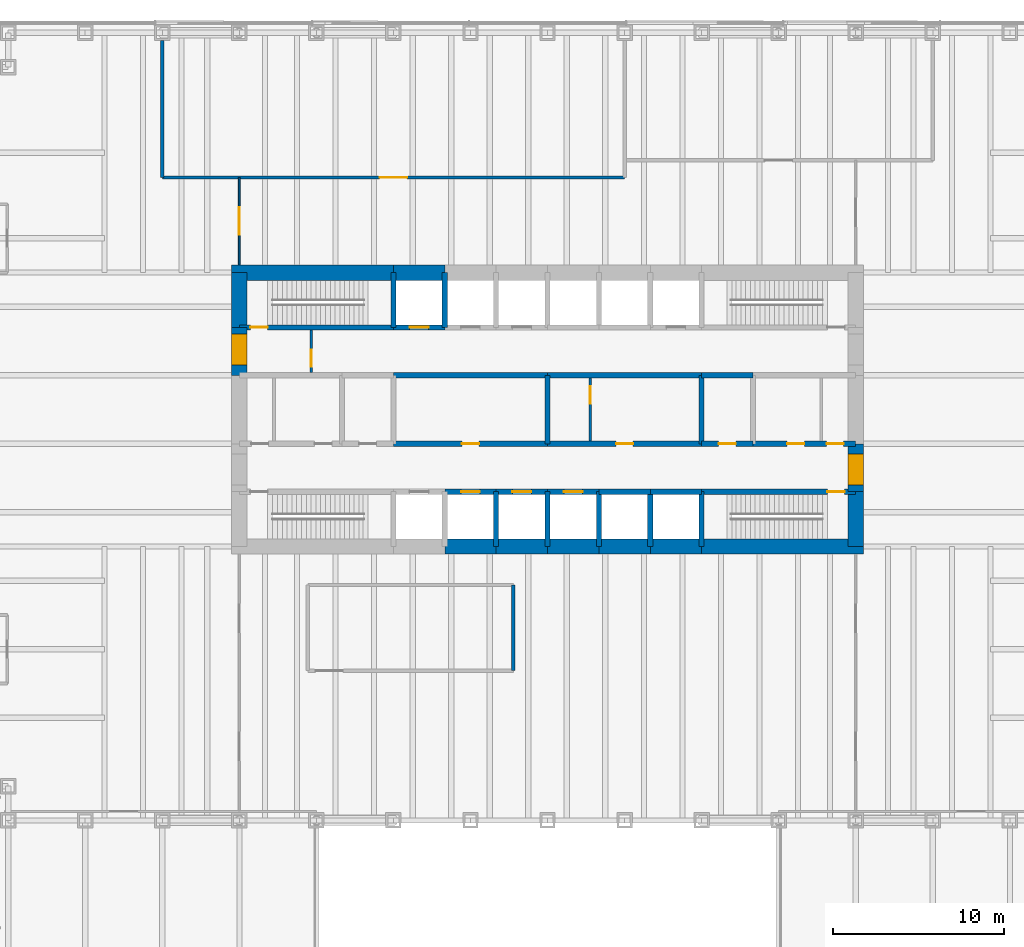
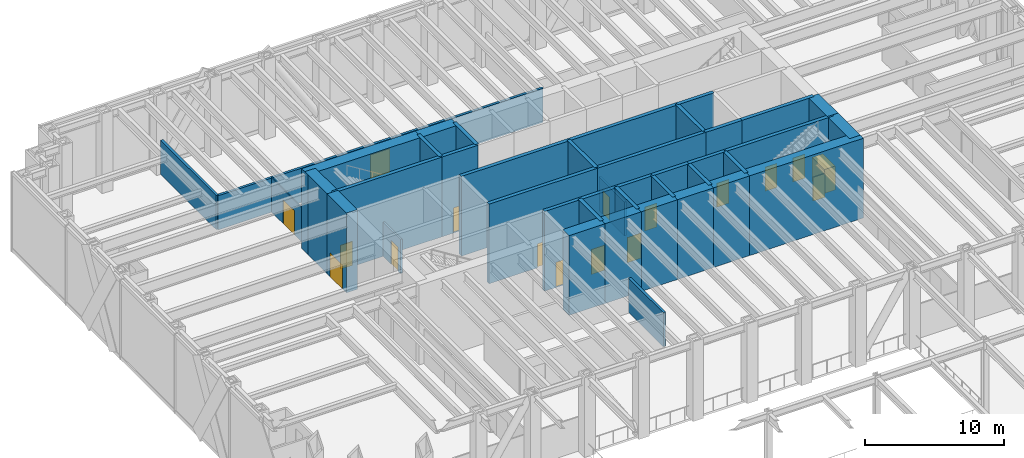
# One storey, part 14 of 17: 42 walls, 17 doors, 17 openings.
"""IFC4 building model written with IfcOpenShell, lengths in metres."""

from ifc_helpers import new_model, si_unit, direction, frame, frame_2d, origin, place, context, subcontext, project, spatial, rectangle, extrude, material, layer, layer_set, type_object, element, fill, save


model = new_model("IFC4")

# Units and contexts
model_context = context("Model", 3, precision=1e-05, world=origin(), true_north=direction((0.0, 1.0)))
body_context = subcontext(model_context, "Body", "Model", "MODEL_VIEW")
ifc_project = project(units=[si_unit("LENGTHUNIT", "METRE"), si_unit("AREAUNIT", "SQUARE_METRE"), si_unit("VOLUMEUNIT", "CUBIC_METRE"), si_unit("PLANEANGLEUNIT", "RADIAN"), si_unit("MASSUNIT", "GRAM", prefix="KILO")], contexts=[model_context])

# Site, building, storey
site_placement = place(None, origin())
site = spatial("IfcSite", under=ifc_project, at=site_placement, CompositionType="ELEMENT")
building_placement = place(site_placement, origin())
building = spatial("IfcBuilding", under=site, at=building_placement, Name="Rheinbord Bourse Tower", CompositionType="ELEMENT")
storey_placement = place(building_placement, frame((0.0, 0.0, 6.0)))
storey = spatial("IfcBuildingStorey", under=building, at=storey_placement, Name="L01", CompositionType="ELEMENT", Elevation=6.0)

# Wall, opening, door
ifc_material_1 = material(Name="Acoustic gypsum board partition", Category="gypsum board")
ifc_layer_1 = layer(ifc_material_1, 0.199951171875)
ifc_layer_set_1 = layer_set([ifc_layer_1], Name="ACOUSTIC PARTITION 200")
wall_type_1 = type_object("IfcWallType", Name="ACOUSTIC PARTITION 200", PredefinedType="PARTITIONING", material=ifc_layer_set_1)
wall_1_placement = place(storey_placement, frame((13.5, 37.550048828125, 0.0), z_axis=(0.0, 0.0, 1.0), x_axis=(1.0, 0.0, 0.0)))
wall_1 = element("IfcWall", 1, at=wall_1_placement, inside=storey, type_object=wall_type_1, Name="Partition L01-11", PredefinedType="PARTITIONING", context=body_context, shape_type="SweptSolid", body=[
    extrude(rectangle(XDim=27.0, YDim=0.199951171875, at=frame_2d((13.5, 0.0))), origin(), (0.0, 0.0, 1.0), 3.0),
])
opening_1_placement = place(wall_1_placement, frame((12.699951171875, 0.0, 0.0)))
opening_1 = element("IfcOpeningElement", 2, at=opening_1_placement, cuts=wall_1, Name="Opening 01D07", PredefinedType="OPENING", context=body_context, shape_type="SweptSolid", body=[
    extrude(rectangle(XDim=1.60009765625, YDim=2.10009765625, at=frame_2d((0.800048828125, 1.050048828125))), frame((0.0, 0.10986328125, 0.0), z_axis=(0.0, -1.0, 0.0), x_axis=(1.0, 0.0, 0.0)), (0.0, 0.0, 1.0), 0.219970703125),
])
ifc_material_2 = material(Name="Timber door", Category="wood")
door_type_1 = type_object("IfcDoorType", Name="DOUBLE ROOM DOOR 1600", OperationType="DOUBLE_DOOR_DOUBLE_SWING", PredefinedType="DOOR", material=ifc_material_2)
door_1_placement = place(opening_1_placement, origin())
door_1 = element("IfcDoor", 3, at=door_1_placement, inside=storey, type_object=door_type_1, Name="Conference room door L01", OperationType="SINGLE_SWING_LEFT", OverallHeight=2.10009765625, OverallWidth=1.60009765625, PredefinedType="DOOR", context=body_context, shape_type="SweptSolid", body=[
    extrude(rectangle(XDim=1.60009765625, YDim=2.10009765625, at=frame_2d((0.800048828125, 1.050048828125))), frame((0.0, 0.02490234375, 0.0), z_axis=(0.0, -1.0, 0.0), x_axis=(1.0, 0.0, 0.0)), (0.0, 0.0, 1.0), 0.050048828125),
])
fill(opening_1, door_1)

# Walls
wall_2_placement = place(storey_placement, frame((13.5, 37.550048828125, 0.0), z_axis=(0.0, 0.0, 1.0), x_axis=(0.0, 1.0, 0.0)))
element("IfcWall", 4, at=wall_2_placement, inside=storey, type_object=wall_type_1, Name="Partition L01-15", PredefinedType="PARTITIONING", context=body_context, shape_type="SweptSolid", body=[
    extrude(rectangle(XDim=8.0, YDim=0.199951171875, at=frame_2d((4.0, 0.0))), origin(), (0.0, 0.0, 1.0), 3.0),
])
wall_3_placement = place(storey_placement, frame((34.0, 8.75, 0.0), z_axis=(0.0, 0.0, 1.0), x_axis=(0.0, 1.0, 0.0)))
element("IfcWall", 5, at=wall_3_placement, inside=storey, type_object=wall_type_1, Name="Partition L01-19", PredefinedType="PARTITIONING", context=body_context, shape_type="SweptSolid", body=[
    extrude(rectangle(XDim=5.0, YDim=0.199951171875, at=frame_2d((2.5, 0.0))), origin(), (0.0, 0.0, 1.0), 3.0),
])

# Wall, opening, door
ifc_material_3 = material(Name="Concrete C50/60", Category="concrete")
ifc_layer_2 = layer(ifc_material_3, 0.300048828125)
ifc_layer_set_2 = layer_set([ifc_layer_2], Name="CORE INNER WALL 300")
wall_type_2 = type_object("IfcWallType", Name="CORE INNER WALL 300", PredefinedType="SOLIDWALL", material=ifc_layer_set_2)
wall_4_placement = place(storey_placement, frame((30.0, 19.199951171875, 0.0), z_axis=(0.0, 0.0, 1.0), x_axis=(1.0, 0.0, 0.0)))
wall_4 = element("IfcWall", 6, at=wall_4_placement, inside=storey, type_object=wall_type_2, Name="Core wall A3 L01", PredefinedType="SOLIDWALL", context=body_context, shape_type="SweptSolid", body=[
    extrude(rectangle(XDim=3.0, YDim=0.300048828125, at=frame_2d((1.5, 0.0))), origin(), (0.0, 0.0, 1.0), 7.0),
])
opening_2_placement = place(wall_4_placement, frame((0.949951171875, 0.0, 0.0)))
opening_2 = element("IfcOpeningElement", 7, at=opening_2_placement, cuts=wall_4, Name="Opening PA1", PredefinedType="OPENING", context=body_context, shape_type="SweptSolid", body=[
    extrude(rectangle(XDim=1.10009765625, YDim=2.199951171875, at=frame_2d((0.550048828125, 1.10009765625))), frame((0.0, 0.159912109375, 0.0), z_axis=(0.0, -1.0, 0.0), x_axis=(1.0, 0.0, 0.0)), (0.0, 0.0, 1.0), 0.320068359375),
])
ifc_material_4 = material(Name="Steel landing door", Category="steel")
door_type_2 = type_object("IfcDoorType", Name="LIFT LANDING DOOR 1100", OperationType="DOUBLE_DOOR_SLIDING", PredefinedType="USERDEFINED", material=ifc_material_4)
door_2_placement = place(opening_2_placement, origin())
door_2 = element("IfcDoor", 8, at=door_2_placement, inside=storey, type_object=door_type_2, Name="Lift landing door PA1 L01", ObjectType="LIFT LANDING DOOR", OperationType="DOUBLE_DOOR_SLIDING", OverallHeight=2.199951171875, OverallWidth=1.10009765625, PredefinedType="USERDEFINED", context=body_context, shape_type="SweptSolid", body=[
    extrude(rectangle(XDim=1.10009765625, YDim=2.199951171875, at=frame_2d((0.550048828125, 1.10009765625))), frame((0.0, 0.02490234375, 0.0), z_axis=(0.0, -1.0, 0.0), x_axis=(1.0, 0.0, 0.0)), (0.0, 0.0, 1.0), 0.050048828125),
])
fill(opening_2, door_2)

wall_5_placement = place(storey_placement, frame((33.0, 19.199951171875, 0.0), z_axis=(0.0, 0.0, 1.0), x_axis=(1.0, 0.0, 0.0)))
wall_5 = element("IfcWall", 9, at=wall_5_placement, inside=storey, type_object=wall_type_2, Name="Core wall A4 L01", PredefinedType="SOLIDWALL", context=body_context, shape_type="SweptSolid", body=[
    extrude(rectangle(XDim=3.0, YDim=0.300048828125, at=frame_2d((1.5, 0.0))), origin(), (0.0, 0.0, 1.0), 7.0),
])
opening_3_placement = place(wall_5_placement, frame((0.949951171875, 0.0, 0.0)))
opening_3 = element("IfcOpeningElement", 10, at=opening_3_placement, cuts=wall_5, Name="Opening PA2", PredefinedType="OPENING", context=body_context, shape_type="SweptSolid", body=[
    extrude(rectangle(XDim=1.10009765625, YDim=2.199951171875, at=frame_2d((0.550048828125, 1.10009765625))), frame((0.0, 0.159912109375, 0.0), z_axis=(0.0, -1.0, 0.0), x_axis=(1.0, 0.0, 0.0)), (0.0, 0.0, 1.0), 0.320068359375),
])
door_3_placement = place(opening_3_placement, origin())
door_3 = element("IfcDoor", 11, at=door_3_placement, inside=storey, type_object=door_type_2, Name="Lift landing door PA2 L01", ObjectType="LIFT LANDING DOOR", OperationType="DOUBLE_DOOR_SLIDING", OverallHeight=2.199951171875, OverallWidth=1.10009765625, PredefinedType="USERDEFINED", context=body_context, shape_type="SweptSolid", body=[
    extrude(rectangle(XDim=1.10009765625, YDim=2.199951171875, at=frame_2d((0.550048828125, 1.10009765625))), frame((0.0, 0.02490234375, 0.0), z_axis=(0.0, -1.0, 0.0), x_axis=(1.0, 0.0, 0.0)), (0.0, 0.0, 1.0), 0.050048828125),
])
fill(opening_3, door_3)

wall_6_placement = place(storey_placement, frame((36.0, 19.199951171875, 0.0), z_axis=(0.0, 0.0, 1.0), x_axis=(1.0, 0.0, 0.0)))
wall_6 = element("IfcWall", 12, at=wall_6_placement, inside=storey, type_object=wall_type_2, Name="Core wall A5 L01", PredefinedType="SOLIDWALL", context=body_context, shape_type="SweptSolid", body=[
    extrude(rectangle(XDim=3.0, YDim=0.300048828125, at=frame_2d((1.5, 0.0))), origin(), (0.0, 0.0, 1.0), 7.0),
])
opening_4_placement = place(wall_6_placement, frame((0.949951171875, 0.0, 0.0)))
opening_4 = element("IfcOpeningElement", 13, at=opening_4_placement, cuts=wall_6, Name="Opening PA3", PredefinedType="OPENING", context=body_context, shape_type="SweptSolid", body=[
    extrude(rectangle(XDim=1.10009765625, YDim=2.199951171875, at=frame_2d((0.550048828125, 1.10009765625))), frame((0.0, 0.159912109375, 0.0), z_axis=(0.0, -1.0, 0.0), x_axis=(1.0, 0.0, 0.0)), (0.0, 0.0, 1.0), 0.320068359375),
])
door_4_placement = place(opening_4_placement, origin())
door_4 = element("IfcDoor", 14, at=door_4_placement, inside=storey, type_object=door_type_2, Name="Lift landing door PA3 L01", ObjectType="LIFT LANDING DOOR", OperationType="DOUBLE_DOOR_SLIDING", OverallHeight=2.199951171875, OverallWidth=1.10009765625, PredefinedType="USERDEFINED", context=body_context, shape_type="SweptSolid", body=[
    extrude(rectangle(XDim=1.10009765625, YDim=2.199951171875, at=frame_2d((0.550048828125, 1.10009765625))), frame((0.0, 0.02490234375, 0.0), z_axis=(0.0, -1.0, 0.0), x_axis=(1.0, 0.0, 0.0)), (0.0, 0.0, 1.0), 0.050048828125),
])
fill(opening_4, door_4)

# Walls
for number, where, z_axis, x_axis, name in (
    (15, (39.0, 19.199951171875, 0.0), (0.0, 0.0, 1.0), (1.0, 0.0, 0.0), "Core wall A6 L01"),
    (16, (42.0, 19.199951171875, 0.0), (0.0, 0.0, 1.0), (1.0, 0.0, 0.0), "Core wall A7 L01"),
):
    element("IfcWall", number, at=place(storey_placement, frame(where, z_axis=z_axis, x_axis=x_axis)), inside=storey, type_object=wall_type_2, Name=name, PredefinedType="SOLIDWALL", context=body_context, shape_type="SweptSolid", body=[
        extrude(rectangle(XDim=3.0, YDim=0.300048828125, at=frame_2d((1.5, 0.0))), origin(), (0.0, 0.0, 1.0), 7.0),
    ])

# Wall, opening, door
wall_7_placement = place(storey_placement, frame((45.0, 19.199951171875, 0.0), z_axis=(0.0, 0.0, 1.0), x_axis=(1.0, 0.0, 0.0)))
wall_7 = element("IfcWall", 17, at=wall_7_placement, inside=storey, type_object=wall_type_2, Name="Core wall A8 L01", PredefinedType="SOLIDWALL", context=body_context, shape_type="SweptSolid", body=[
    extrude(rectangle(XDim=9.0, YDim=0.300048828125, at=frame_2d((4.5, 0.0))), origin(), (0.0, 0.0, 1.0), 7.0),
])
opening_5_placement = place(wall_7_placement, frame((7.35009765625, 0.0, 0.0)))
opening_5 = element("IfcOpeningElement", 18, at=opening_5_placement, cuts=wall_7, Name="Opening 0130", PredefinedType="OPENING", context=body_context, shape_type="SweptSolid", body=[
    extrude(rectangle(XDim=1.0, YDim=2.10009765625, at=frame_2d((0.5, 1.050048828125))), frame((0.0, 0.159912109375, 0.0), z_axis=(0.0, -1.0, 0.0), x_axis=(1.0, 0.0, 0.0)), (0.0, 0.0, 1.0), 0.320068359375),
])
ifc_material_5 = material(Name="Steel door", Category="steel")
door_type_3 = type_object("IfcDoorType", Name="DOOR 1000 EI30", OperationType="SINGLE_SWING_LEFT", PredefinedType="DOOR", material=ifc_material_5)
door_5_placement = place(opening_5_placement, origin())
door_5 = element("IfcDoor", 19, at=door_5_placement, inside=storey, type_object=door_type_3, Name="Stair door ST3 L01", OperationType="SINGLE_SWING_RIGHT", OverallHeight=2.10009765625, OverallWidth=1.0, PredefinedType="DOOR", context=body_context, shape_type="SweptSolid", body=[
    extrude(rectangle(XDim=1.0, YDim=2.10009765625, at=frame_2d((0.5, 1.050048828125))), frame((0.0, 0.02490234375, 0.0), z_axis=(0.0, -1.0, 0.0), x_axis=(1.0, 0.0, 0.0)), (0.0, 0.0, 1.0), 0.050048828125),
])
fill(opening_5, door_5)

wall_8_placement = place(storey_placement, frame((18.0, 28.800048828125, 0.0), z_axis=(0.0, 0.0, 1.0), x_axis=(1.0, 0.0, 0.0)))
wall_8 = element("IfcWall", 20, at=wall_8_placement, inside=storey, type_object=wall_type_2, Name="Core wall B1 L01", PredefinedType="SOLIDWALL", context=body_context, shape_type="SweptSolid", body=[
    extrude(rectangle(XDim=9.0, YDim=0.300048828125, at=frame_2d((4.5, 0.0))), origin(), (0.0, 0.0, 1.0), 7.0),
])
opening_6_placement = place(wall_8_placement, frame((0.64990234375, 0.0, 0.0)))
opening_6 = element("IfcOpeningElement", 21, at=opening_6_placement, cuts=wall_8, Name="Opening 0120", PredefinedType="OPENING", context=body_context, shape_type="SweptSolid", body=[
    extrude(rectangle(XDim=1.0, YDim=2.10009765625, at=frame_2d((0.5, 1.050048828125))), frame((0.0, 0.159912109375, 0.0), z_axis=(0.0, -1.0, 0.0), x_axis=(1.0, 0.0, 0.0)), (0.0, 0.0, 1.0), 0.320068359375),
])
door_6_placement = place(opening_6_placement, origin())
door_6 = element("IfcDoor", 22, at=door_6_placement, inside=storey, type_object=door_type_3, Name="Stair door ST2 L01", OperationType="SINGLE_SWING_LEFT", OverallHeight=2.10009765625, OverallWidth=1.0, PredefinedType="DOOR", context=body_context, shape_type="SweptSolid", body=[
    extrude(rectangle(XDim=1.0, YDim=2.10009765625, at=frame_2d((0.5, 1.050048828125))), frame((0.0, 0.02490234375, 0.0), z_axis=(0.0, -1.0, 0.0), x_axis=(1.0, 0.0, 0.0)), (0.0, 0.0, 1.0), 0.050048828125),
])
fill(opening_6, door_6)

wall_9_placement = place(storey_placement, frame((27.0, 28.800048828125, 0.0), z_axis=(0.0, 0.0, 1.0), x_axis=(1.0, 0.0, 0.0)))
wall_9 = element("IfcWall", 23, at=wall_9_placement, inside=storey, type_object=wall_type_2, Name="Core wall B2 L01", PredefinedType="SOLIDWALL", context=body_context, shape_type="SweptSolid", body=[
    extrude(rectangle(XDim=3.0, YDim=0.300048828125, at=frame_2d((1.5, 0.0))), origin(), (0.0, 0.0, 1.0), 7.0),
])
opening_7_placement = place(wall_9_placement, frame((0.949951171875, 0.0, 0.0)))
opening_7 = element("IfcOpeningElement", 24, at=opening_7_placement, cuts=wall_9, Name="Opening GL1", PredefinedType="OPENING", context=body_context, shape_type="SweptSolid", body=[
    extrude(rectangle(XDim=1.10009765625, YDim=2.199951171875, at=frame_2d((0.550048828125, 1.10009765625))), frame((0.0, 0.159912109375, 0.0), z_axis=(0.0, -1.0, 0.0), x_axis=(1.0, 0.0, 0.0)), (0.0, 0.0, 1.0), 0.320068359375),
])
door_7_placement = place(opening_7_placement, origin())
door_7 = element("IfcDoor", 25, at=door_7_placement, inside=storey, type_object=door_type_2, Name="Lift landing door GL1 L01", ObjectType="LIFT LANDING DOOR", OperationType="DOUBLE_DOOR_SLIDING", OverallHeight=2.199951171875, OverallWidth=1.10009765625, PredefinedType="USERDEFINED", context=body_context, shape_type="SweptSolid", body=[
    extrude(rectangle(XDim=1.10009765625, YDim=2.199951171875, at=frame_2d((0.550048828125, 1.10009765625))), frame((0.0, 0.02490234375, 0.0), z_axis=(0.0, -1.0, 0.0), x_axis=(1.0, 0.0, 0.0)), (0.0, 0.0, 1.0), 0.050048828125),
])
fill(opening_7, door_7)

wall_10_placement = place(storey_placement, frame((27.0, 22.0, 0.0), z_axis=(0.0, 0.0, 1.0), x_axis=(1.0, 0.0, 0.0)))
wall_10 = element("IfcWall", 26, at=wall_10_placement, inside=storey, type_object=wall_type_2, Name="Core wall C3 L01", PredefinedType="SOLIDWALL", context=body_context, shape_type="SweptSolid", body=[
    extrude(rectangle(XDim=9.0, YDim=0.300048828125, at=frame_2d((4.5, 0.0))), origin(), (0.0, 0.0, 1.0), 7.0),
])
opening_8_placement = place(wall_10_placement, frame((4.0, 0.0, 0.0)))
opening_8 = element("IfcOpeningElement", 27, at=opening_8_placement, cuts=wall_10, Name="Opening 01R3", PredefinedType="OPENING", context=body_context, shape_type="SweptSolid", body=[
    extrude(rectangle(XDim=1.0, YDim=2.10009765625, at=frame_2d((0.5, 1.050048828125))), frame((0.0, 0.159912109375, 0.0), z_axis=(0.0, -1.0, 0.0), x_axis=(1.0, 0.0, 0.0)), (0.0, 0.0, 1.0), 0.320068359375),
])
door_8_placement = place(opening_8_placement, origin())
door_8 = element("IfcDoor", 28, at=door_8_placement, inside=storey, type_object=door_type_3, Name="Riser door L01", OperationType="SINGLE_SWING_LEFT", OverallHeight=2.10009765625, OverallWidth=1.0, PredefinedType="DOOR", context=body_context, shape_type="SweptSolid", body=[
    extrude(rectangle(XDim=1.0, YDim=2.10009765625, at=frame_2d((0.5, 1.050048828125))), frame((0.0, 0.02490234375, 0.0), z_axis=(0.0, -1.0, 0.0), x_axis=(1.0, 0.0, 0.0)), (0.0, 0.0, 1.0), 0.050048828125),
])
fill(opening_8, door_8)

wall_11_placement = place(storey_placement, frame((36.0, 22.0, 0.0), z_axis=(0.0, 0.0, 1.0), x_axis=(1.0, 0.0, 0.0)))
wall_11 = element("IfcWall", 29, at=wall_11_placement, inside=storey, type_object=wall_type_2, Name="Core wall C4 L01", PredefinedType="SOLIDWALL", context=body_context, shape_type="SweptSolid", body=[
    extrude(rectangle(XDim=9.0, YDim=0.300048828125, at=frame_2d((4.5, 0.0))), origin(), (0.0, 0.0, 1.0), 7.0),
])
opening_9_placement = place(wall_11_placement, frame((4.0, 0.0, 0.0)))
opening_9 = element("IfcOpeningElement", 30, at=opening_9_placement, cuts=wall_11, Name="Opening 01R4", PredefinedType="OPENING", context=body_context, shape_type="SweptSolid", body=[
    extrude(rectangle(XDim=1.0, YDim=2.10009765625, at=frame_2d((0.5, 1.050048828125))), frame((0.0, 0.159912109375, 0.0), z_axis=(0.0, -1.0, 0.0), x_axis=(1.0, 0.0, 0.0)), (0.0, 0.0, 1.0), 0.320068359375),
])
door_9_placement = place(opening_9_placement, origin())
door_9 = element("IfcDoor", 31, at=door_9_placement, inside=storey, type_object=door_type_3, Name="Store door L01", OperationType="SINGLE_SWING_LEFT", OverallHeight=2.10009765625, OverallWidth=1.0, PredefinedType="DOOR", context=body_context, shape_type="SweptSolid", body=[
    extrude(rectangle(XDim=1.0, YDim=2.10009765625, at=frame_2d((0.5, 1.050048828125))), frame((0.0, 0.02490234375, 0.0), z_axis=(0.0, -1.0, 0.0), x_axis=(1.0, 0.0, 0.0)), (0.0, 0.0, 1.0), 0.050048828125),
])
fill(opening_9, door_9)

wall_12_placement = place(storey_placement, frame((45.0, 22.0, 0.0), z_axis=(0.0, 0.0, 1.0), x_axis=(1.0, 0.0, 0.0)))
wall_12 = element("IfcWall", 32, at=wall_12_placement, inside=storey, type_object=wall_type_2, Name="Core wall C5 L01", PredefinedType="SOLIDWALL", context=body_context, shape_type="SweptSolid", body=[
    extrude(rectangle(XDim=3.0, YDim=0.300048828125, at=frame_2d((1.5, 0.0))), origin(), (0.0, 0.0, 1.0), 7.0),
])
opening_10_placement = place(wall_12_placement, frame((1.0, 0.0, 0.0)))
opening_10 = element("IfcOpeningElement", 33, at=opening_10_placement, cuts=wall_12, Name="Opening 01R5", PredefinedType="OPENING", context=body_context, shape_type="SweptSolid", body=[
    extrude(rectangle(XDim=1.0, YDim=2.10009765625, at=frame_2d((0.5, 1.050048828125))), frame((0.0, 0.159912109375, 0.0), z_axis=(0.0, -1.0, 0.0), x_axis=(1.0, 0.0, 0.0)), (0.0, 0.0, 1.0), 0.320068359375),
])
ifc_material_6 = material(Name="Timber door", Category="wood")
door_type_4 = type_object("IfcDoorType", Name="DOOR 1000 WC", OperationType="SINGLE_SWING_LEFT", PredefinedType="DOOR", material=ifc_material_6)
door_10_placement = place(opening_10_placement, origin())
door_10 = element("IfcDoor", 34, at=door_10_placement, inside=storey, type_object=door_type_4, Name="Accessible WC door L01", OperationType="SINGLE_SWING_LEFT", OverallHeight=2.10009765625, OverallWidth=1.0, PredefinedType="DOOR", context=body_context, shape_type="SweptSolid", body=[
    extrude(rectangle(XDim=1.0, YDim=2.10009765625, at=frame_2d((0.5, 1.050048828125))), frame((0.0, 0.02490234375, 0.0), z_axis=(0.0, -1.0, 0.0), x_axis=(1.0, 0.0, 0.0)), (0.0, 0.0, 1.0), 0.050048828125),
])
fill(opening_10, door_10)

# Wall, openings, doors
wall_13_placement = place(storey_placement, frame((48.0, 22.0, 0.0), z_axis=(0.0, 0.0, 1.0), x_axis=(1.0, 0.0, 0.0)))
wall_13 = element("IfcWall", 35, at=wall_13_placement, inside=storey, type_object=wall_type_2, Name="Core wall C6 L01", PredefinedType="SOLIDWALL", context=body_context, shape_type="SweptSolid", body=[
    extrude(rectangle(XDim=6.0, YDim=0.300048828125, at=frame_2d((3.0, 0.0))), origin(), (0.0, 0.0, 1.0), 7.0),
])
opening_11_placement = place(wall_13_placement, frame((2.0, 0.0, 0.0)))
opening_11 = element("IfcOpeningElement", 36, at=opening_11_placement, cuts=wall_13, Name="Opening 01R6", PredefinedType="OPENING", context=body_context, shape_type="SweptSolid", body=[
    extrude(rectangle(XDim=1.0, YDim=2.10009765625, at=frame_2d((0.5, 1.050048828125))), frame((0.0, 0.159912109375, 0.0), z_axis=(0.0, -1.0, 0.0), x_axis=(1.0, 0.0, 0.0)), (0.0, 0.0, 1.0), 0.320068359375),
])
opening_12_placement = place(wall_13_placement, frame((4.300048828125, 0.0, 0.0)))
opening_12 = element("IfcOpeningElement", 37, at=opening_12_placement, cuts=wall_13, Name="Opening 01R10", PredefinedType="OPENING", context=body_context, shape_type="SweptSolid", body=[
    extrude(rectangle(XDim=1.0, YDim=2.10009765625, at=frame_2d((0.5, 1.050048828125))), frame((0.0, 0.159912109375, 0.0), z_axis=(0.0, -1.0, 0.0), x_axis=(1.0, 0.0, 0.0)), (0.0, 0.0, 1.0), 0.320068359375),
])
door_11_placement = place(opening_12_placement, origin())
door_11 = element("IfcDoor", 38, at=door_11_placement, inside=storey, type_object=door_type_3, Name="Cleaner's store door L01", OperationType="SINGLE_SWING_RIGHT", OverallHeight=2.10009765625, OverallWidth=1.0, PredefinedType="DOOR", context=body_context, shape_type="SweptSolid", body=[
    extrude(rectangle(XDim=1.0, YDim=2.10009765625, at=frame_2d((0.5, 1.050048828125))), frame((0.0, 0.02490234375, 0.0), z_axis=(0.0, -1.0, 0.0), x_axis=(1.0, 0.0, 0.0)), (0.0, 0.0, 1.0), 0.050048828125),
])
fill(opening_12, door_11)
door_12_placement = place(opening_11_placement, origin())
door_12 = element("IfcDoor", 39, at=door_12_placement, inside=storey, type_object=door_type_4, Name="WC women door L01", OperationType="SINGLE_SWING_LEFT", OverallHeight=2.10009765625, OverallWidth=1.0, PredefinedType="DOOR", context=body_context, shape_type="SweptSolid", body=[
    extrude(rectangle(XDim=1.0, YDim=2.10009765625, at=frame_2d((0.5, 1.050048828125))), frame((0.0, 0.02490234375, 0.0), z_axis=(0.0, -1.0, 0.0), x_axis=(1.0, 0.0, 0.0)), (0.0, 0.0, 1.0), 0.050048828125),
])
fill(opening_11, door_12)

# Walls
for number, where, z_axis, x_axis, name in (
    (40, (27.0, 26.0, 0.0), (0.0, 0.0, 1.0), (1.0, 0.0, 0.0), "Core wall D3 L01"),
    (41, (36.0, 26.0, 0.0), (0.0, 0.0, 1.0), (1.0, 0.0, 0.0), "Core wall D4 L01"),
):
    element("IfcWall", number, at=place(storey_placement, frame(where, z_axis=z_axis, x_axis=x_axis)), inside=storey, type_object=wall_type_2, Name=name, PredefinedType="SOLIDWALL", context=body_context, shape_type="SweptSolid", body=[
        extrude(rectangle(XDim=9.0, YDim=0.300048828125, at=frame_2d((4.5, 0.0))), origin(), (0.0, 0.0, 1.0), 7.0),
    ])
wall_14_placement = place(storey_placement, frame((45.0, 26.0, 0.0), z_axis=(0.0, 0.0, 1.0), x_axis=(1.0, 0.0, 0.0)))
element("IfcWall", 42, at=wall_14_placement, inside=storey, type_object=wall_type_2, Name="Core wall D5 L01", PredefinedType="SOLIDWALL", context=body_context, shape_type="SweptSolid", body=[
    extrude(rectangle(XDim=3.0, YDim=0.300048828125, at=frame_2d((1.5, 0.0))), origin(), (0.0, 0.0, 1.0), 7.0),
])
for number, where, z_axis, x_axis, name in (
    (43, (27.0, 28.800048828125, 0.0), (0.0, 0.0, 1.0), (0.0, 1.0, 0.0), "Core wall NX27 L01"),
    (44, (30.0, 28.800048828125, 0.0), (0.0, 0.0, 1.0), (0.0, 1.0, 0.0), "Core wall NX30 L01"),
    (45, (33.0, 16.0, 0.0), (0.0, 0.0, 1.0), (0.0, 1.0, 0.0), "Core wall SX33 L01"),
    (46, (36.0, 16.0, 0.0), (0.0, 0.0, 1.0), (0.0, 1.0, 0.0), "Core wall SX36 L01"),
    (47, (39.0, 16.0, 0.0), (0.0, 0.0, 1.0), (0.0, 1.0, 0.0), "Core wall SX39 L01"),
    (48, (42.0, 16.0, 0.0), (0.0, 0.0, 1.0), (0.0, 1.0, 0.0), "Core wall SX42 L01"),
    (49, (45.0, 16.0, 0.0), (0.0, 0.0, 1.0), (0.0, 1.0, 0.0), "Core wall SX45 L01"),
):
    element("IfcWall", number, at=place(storey_placement, frame(where, z_axis=z_axis, x_axis=x_axis)), inside=storey, type_object=wall_type_2, Name=name, PredefinedType="SOLIDWALL", context=body_context, shape_type="SweptSolid", body=[
        extrude(rectangle(XDim=3.199951171875, YDim=0.300048828125, at=frame_2d((1.60009765625, 0.0))), origin(), (0.0, 0.0, 1.0), 7.0),
    ])
for number, where, z_axis, x_axis, name in (
    (50, (36.0, 22.0, 0.0), (0.0, 0.0, 1.0), (0.0, 1.0, 0.0), "Core wall MX36 L01"),
    (51, (45.0, 22.0, 0.0), (0.0, 0.0, 1.0), (0.0, 1.0, 0.0), "Core wall MX45 L01"),
):
    element("IfcWall", number, at=place(storey_placement, frame(where, z_axis=z_axis, x_axis=x_axis)), inside=storey, type_object=wall_type_2, Name=name, PredefinedType="SOLIDWALL", context=body_context, shape_type="SweptSolid", body=[
        extrude(rectangle(XDim=4.0, YDim=0.300048828125, at=frame_2d((2.0, 0.0))), origin(), (0.0, 0.0, 1.0), 7.0),
    ])

# Wall, opening, door
ifc_material_7 = material(Name="Gypsum board fire partition", Category="gypsum board")
ifc_layer_3 = layer(ifc_material_7, 0.14990234375)
ifc_layer_set_3 = layer_set([ifc_layer_3], Name="CORE PARTITION 150 EI30")
wall_type_3 = type_object("IfcWallType", Name="CORE PARTITION 150 EI30", PredefinedType="PARTITIONING", material=ifc_layer_set_3)
wall_15_placement = place(storey_placement, frame((38.5, 22.14990234375, 0.0), z_axis=(0.0, 0.0, 1.0), x_axis=(0.0, 1.0, 0.0)))
wall_15 = element("IfcWall", 52, at=wall_15_placement, inside=storey, type_object=wall_type_3, Name="Core partition L01-1", PredefinedType="PARTITIONING", context=body_context, shape_type="SweptSolid", body=[
    extrude(rectangle(XDim=3.7001953125, YDim=0.14990234375, at=frame_2d((1.85009765625, 0.0))), origin(), (0.0, 0.0, 1.0), 3.0),
])
opening_13_placement = place(wall_15_placement, frame((2.199951171875, 0.0, 0.0)))
opening_13 = element("IfcOpeningElement", 53, at=opening_13_placement, cuts=wall_15, Name="Opening 01R7", PredefinedType="OPENING", context=body_context, shape_type="SweptSolid", body=[
    extrude(rectangle(XDim=1.0, YDim=2.10009765625, at=frame_2d((0.5, 1.050048828125))), frame((0.0, 0.0849609375, 0.0), z_axis=(0.0, -1.0, 0.0), x_axis=(1.0, 0.0, 0.0)), (0.0, 0.0, 1.0), 0.169921875),
])
door_13_placement = place(opening_13_placement, origin())
door_13 = element("IfcDoor", 54, at=door_13_placement, inside=storey, type_object=door_type_3, Name="Furniture store door L01", OperationType="SINGLE_SWING_RIGHT", OverallHeight=2.10009765625, OverallWidth=1.0, PredefinedType="DOOR", context=body_context, shape_type="SweptSolid", body=[
    extrude(rectangle(XDim=1.0, YDim=2.10009765625, at=frame_2d((0.5, 1.050048828125))), frame((0.0, 0.02490234375, 0.0), z_axis=(0.0, -1.0, 0.0), x_axis=(1.0, 0.0, 0.0)), (0.0, 0.0, 1.0), 0.050048828125),
])
fill(opening_13, door_13)

wall_16_placement = place(storey_placement, frame((22.199951171875, 26.14990234375, 0.0), z_axis=(0.0, 0.0, 1.0), x_axis=(0.0, 1.0, 0.0)))
wall_16 = element("IfcWall", 55, at=wall_16_placement, inside=storey, type_object=wall_type_3, Name="Core partition L01-5", PredefinedType="PARTITIONING", context=body_context, shape_type="SweptSolid", body=[
    extrude(rectangle(XDim=2.5, YDim=0.14990234375, at=frame_2d((1.25, 0.0))), origin(), (0.0, 0.0, 1.0), 3.0),
])
opening_14_placement = place(wall_16_placement, frame((0.35009765625, 0.0, 0.0)))
opening_14 = element("IfcOpeningElement", 56, at=opening_14_placement, cuts=wall_16, Name="Opening 01L6", PredefinedType="OPENING", context=body_context, shape_type="SweptSolid", body=[
    extrude(rectangle(XDim=1.0, YDim=2.10009765625, at=frame_2d((0.5, 1.050048828125))), frame((0.0, 0.0849609375, 0.0), z_axis=(0.0, -1.0, 0.0), x_axis=(1.0, 0.0, 0.0)), (0.0, 0.0, 1.0), 0.169921875),
])
door_14_placement = place(opening_14_placement, origin())
door_14 = element("IfcDoor", 57, at=door_14_placement, inside=storey, type_object=door_type_3, Name="Stair lobby door L01", OperationType="SINGLE_SWING_LEFT", OverallHeight=2.10009765625, OverallWidth=1.0, PredefinedType="DOOR", context=body_context, shape_type="SweptSolid", body=[
    extrude(rectangle(XDim=1.0, YDim=2.10009765625, at=frame_2d((0.5, 1.050048828125))), frame((0.0, 0.02490234375, 0.0), z_axis=(0.0, -1.0, 0.0), x_axis=(1.0, 0.0, 0.0)), (0.0, 0.0, 1.0), 0.050048828125),
])
fill(opening_14, door_14)

# Walls
ifc_material_8 = material(Name="Concrete C50/60", Category="concrete")
ifc_layer_4 = layer(ifc_material_8, 0.89990234375)
ifc_layer_set_4 = layer_set([ifc_layer_4], Name="CORE WALL 900")
wall_type_4 = type_object("IfcWallType", Name="CORE WALL 900", PredefinedType="SHEAR", material=ifc_layer_set_4)
for number, where, z_axis, x_axis, name in (
    (58, (30.0, 16.0, 0.0), (0.0, 0.0, 1.0), (1.0, 0.0, 0.0), "Core wall S3 L01"),
    (59, (33.0, 16.0, 0.0), (0.0, 0.0, 1.0), (1.0, 0.0, 0.0), "Core wall S4 L01"),
    (60, (36.0, 16.0, 0.0), (0.0, 0.0, 1.0), (1.0, 0.0, 0.0), "Core wall S5 L01"),
    (61, (39.0, 16.0, 0.0), (0.0, 0.0, 1.0), (1.0, 0.0, 0.0), "Core wall S6 L01"),
    (62, (42.0, 16.0, 0.0), (0.0, 0.0, 1.0), (1.0, 0.0, 0.0), "Core wall S7 L01"),
):
    element("IfcWall", number, at=place(storey_placement, frame(where, z_axis=z_axis, x_axis=x_axis)), inside=storey, type_object=wall_type_4, Name=name, PredefinedType="SHEAR", context=body_context, shape_type="SweptSolid", body=[
        extrude(rectangle(XDim=3.0, YDim=0.89990234375, at=frame_2d((1.5, 0.0))), origin(), (0.0, 0.0, 1.0), 7.0),
    ])
wall_17_placement = place(storey_placement, frame((45.0, 16.0, 0.0), z_axis=(0.0, 0.0, 1.0), x_axis=(1.0, 0.0, 0.0)))
element("IfcWall", 63, at=wall_17_placement, inside=storey, type_object=wall_type_4, Name="Core wall S8 L01", PredefinedType="SHEAR", context=body_context, shape_type="SweptSolid", body=[
    extrude(rectangle(XDim=9.449951171875, YDim=0.89990234375, at=frame_2d((4.72509765625, 0.0))), origin(), (0.0, 0.0, 1.0), 7.0),
])
wall_18_placement = place(storey_placement, frame((30.0, 32.0, 0.0), z_axis=(0.0, 0.0, 1.0), x_axis=(-1.0, 0.0, 0.0)))
element("IfcWall", 64, at=wall_18_placement, inside=storey, type_object=wall_type_4, Name="Core wall N7 L01", PredefinedType="SHEAR", context=body_context, shape_type="SweptSolid", body=[
    extrude(rectangle(XDim=3.0, YDim=0.89990234375, at=frame_2d((1.5, 0.0))), origin(), (0.0, 0.0, 1.0), 7.0),
])
wall_19_placement = place(storey_placement, frame((27.0, 32.0, 0.0), z_axis=(0.0, 0.0, 1.0), x_axis=(-1.0, 0.0, 0.0)))
element("IfcWall", 65, at=wall_19_placement, inside=storey, type_object=wall_type_4, Name="Core wall N8 L01", PredefinedType="SHEAR", context=body_context, shape_type="SweptSolid", body=[
    extrude(rectangle(XDim=9.449951171875, YDim=0.89990234375, at=frame_2d((4.72509765625, 0.0))), origin(), (0.0, 0.0, 1.0), 7.0),
])
wall_20_placement = place(storey_placement, frame((18.0, 32.0, 0.0), z_axis=(0.0, 0.0, 1.0), x_axis=(0.0, -1.0, 0.0)))
element("IfcWall", 66, at=wall_20_placement, inside=storey, type_object=wall_type_4, Name="Core wall W1 L01", PredefinedType="SHEAR", context=body_context, shape_type="SweptSolid", body=[
    extrude(rectangle(XDim=3.199951171875, YDim=0.89990234375, at=frame_2d((1.60009765625, 0.0))), origin(), (0.0, 0.0, 1.0), 7.0),
])

# Wall, opening, door
wall_21_placement = place(storey_placement, frame((18.0, 28.800048828125, 0.0), z_axis=(0.0, 0.0, 1.0), x_axis=(0.0, -1.0, 0.0)))
wall_21 = element("IfcWall", 67, at=wall_21_placement, inside=storey, type_object=wall_type_4, Name="Core wall W2 L01", PredefinedType="SHEAR", context=body_context, shape_type="SweptSolid", body=[
    extrude(rectangle(XDim=2.800048828125, YDim=0.89990234375, at=frame_2d((1.39990234375, 0.0))), origin(), (0.0, 0.0, 1.0), 7.0),
])
opening_15_placement = place(wall_21_placement, frame((0.39990234375, 0.0, 0.0)))
opening_15 = element("IfcOpeningElement", 68, at=opening_15_placement, cuts=wall_21, Name="Opening 01L2", PredefinedType="OPENING", context=body_context, shape_type="SweptSolid", body=[
    extrude(rectangle(XDim=1.800048828125, YDim=2.10009765625, at=frame_2d((0.89990234375, 1.050048828125))), frame((0.0, 0.4599609375, 0.0), z_axis=(0.0, -1.0, 0.0), x_axis=(1.0, 0.0, 0.0)), (0.0, 0.0, 1.0), 0.919921875),
])
ifc_material_9 = material(Name="Steel door", Category="steel")
door_type_5 = type_object("IfcDoorType", Name="DOOR 1800 EI30 DOUBLE", OperationType="DOUBLE_DOOR_DOUBLE_SWING", PredefinedType="DOOR", material=ifc_material_9)
door_15_placement = place(opening_15_placement, origin())
door_15 = element("IfcDoor", 69, at=door_15_placement, inside=storey, type_object=door_type_5, Name="Lobby door 2 L01", OperationType="SINGLE_SWING_LEFT", OverallHeight=2.10009765625, OverallWidth=1.800048828125, PredefinedType="DOOR", context=body_context, shape_type="SweptSolid", body=[
    extrude(rectangle(XDim=1.800048828125, YDim=2.10009765625, at=frame_2d((0.89990234375, 1.050048828125))), frame((0.0, 0.44970703125, 0.0), z_axis=(0.0, -1.0, 0.0), x_axis=(1.0, 0.0, 0.0)), (0.0, 0.0, 1.0), 0.8994140625),
])
fill(opening_15, door_15)

# Wall
wall_22_placement = place(storey_placement, frame((54.0, 16.0, 0.0), z_axis=(0.0, 0.0, 1.0), x_axis=(0.0, 1.0, 0.0)))
element("IfcWall", 70, at=wall_22_placement, inside=storey, type_object=wall_type_4, Name="Core wall E1 L01", PredefinedType="SHEAR", context=body_context, shape_type="SweptSolid", body=[
    extrude(rectangle(XDim=3.199951171875, YDim=0.89990234375, at=frame_2d((1.60009765625, 0.0))), origin(), (0.0, 0.0, 1.0), 7.0),
])

# Wall, opening, door
wall_23_placement = place(storey_placement, frame((54.0, 19.199951171875, 0.0), z_axis=(0.0, 0.0, 1.0), x_axis=(0.0, 1.0, 0.0)))
wall_23 = element("IfcWall", 71, at=wall_23_placement, inside=storey, type_object=wall_type_4, Name="Core wall E2 L01", PredefinedType="SHEAR", context=body_context, shape_type="SweptSolid", body=[
    extrude(rectangle(XDim=2.800048828125, YDim=0.89990234375, at=frame_2d((1.39990234375, 0.0))), origin(), (0.0, 0.0, 1.0), 7.0),
])
opening_16_placement = place(wall_23_placement, frame((0.39990234375, 0.0, 0.0)))
opening_16 = element("IfcOpeningElement", 72, at=opening_16_placement, cuts=wall_23, Name="Opening 01L3", PredefinedType="OPENING", context=body_context, shape_type="SweptSolid", body=[
    extrude(rectangle(XDim=1.800048828125, YDim=2.10009765625, at=frame_2d((0.89990234375, 1.050048828125))), frame((0.0, 0.4599609375, 0.0), z_axis=(0.0, -1.0, 0.0), x_axis=(1.0, 0.0, 0.0)), (0.0, 0.0, 1.0), 0.919921875),
])
door_16_placement = place(opening_16_placement, origin())
door_16 = element("IfcDoor", 73, at=door_16_placement, inside=storey, type_object=door_type_5, Name="Lobby door 3 L01", OperationType="SINGLE_SWING_LEFT", OverallHeight=2.10009765625, OverallWidth=1.800048828125, PredefinedType="DOOR", context=body_context, shape_type="SweptSolid", body=[
    extrude(rectangle(XDim=1.800048828125, YDim=2.10009765625, at=frame_2d((0.89990234375, 1.050048828125))), frame((0.0, 0.44970703125, 0.0), z_axis=(0.0, -1.0, 0.0), x_axis=(1.0, 0.0, 0.0)), (0.0, 0.0, 1.0), 0.8994140625),
])
fill(opening_16, door_16)

ifc_material_10 = material(Name="Toughened laminated glass partition", Category="glass")
ifc_layer_5 = layer(ifc_material_10, 0.10009765625)
ifc_layer_set_5 = layer_set([ifc_layer_5], Name="GLAZED PARTITION 100")
wall_type_5 = type_object("IfcWallType", Name="GLAZED PARTITION 100", PredefinedType="PARTITIONING", material=ifc_layer_set_5)
wall_24_placement = place(storey_placement, frame((18.0, 32.449951171875, 0.0), z_axis=(0.0, 0.0, 1.0), x_axis=(0.0, 1.0, 0.0)))
wall_24 = element("IfcWall", 74, at=wall_24_placement, inside=storey, type_object=wall_type_5, Name="Partition L01-17", PredefinedType="PARTITIONING", context=body_context, shape_type="SweptSolid", body=[
    extrude(rectangle(XDim=5.10009765625, YDim=0.10009765625, at=frame_2d((2.550048828125, 0.0))), origin(), (0.0, 0.0, 1.0), 3.0),
])
opening_17_placement = place(wall_24_placement, frame((1.75, 0.0, 0.0)))
opening_17 = element("IfcOpeningElement", 75, at=opening_17_placement, cuts=wall_24, Name="Opening 01D11", PredefinedType="OPENING", context=body_context, shape_type="SweptSolid", body=[
    extrude(rectangle(XDim=1.60009765625, YDim=2.10009765625, at=frame_2d((0.800048828125, 1.050048828125))), frame((0.0, 0.06005859375, 0.0), z_axis=(0.0, -1.0, 0.0), x_axis=(1.0, 0.0, 0.0)), (0.0, 0.0, 1.0), 0.1201171875),
])
door_17_placement = place(opening_17_placement, origin())
door_17 = element("IfcDoor", 76, at=door_17_placement, inside=storey, type_object=door_type_1, Name="Open area door L01", OperationType="SINGLE_SWING_LEFT", OverallHeight=2.10009765625, OverallWidth=1.60009765625, PredefinedType="DOOR", context=body_context, shape_type="SweptSolid", body=[
    extrude(rectangle(XDim=1.60009765625, YDim=2.10009765625, at=frame_2d((0.800048828125, 1.050048828125))), frame((0.0, 0.02490234375, 0.0), z_axis=(0.0, -1.0, 0.0), x_axis=(1.0, 0.0, 0.0)), (0.0, 0.0, 1.0), 0.050048828125),
])
fill(opening_17, door_17)

save(model, "model.ifc")
